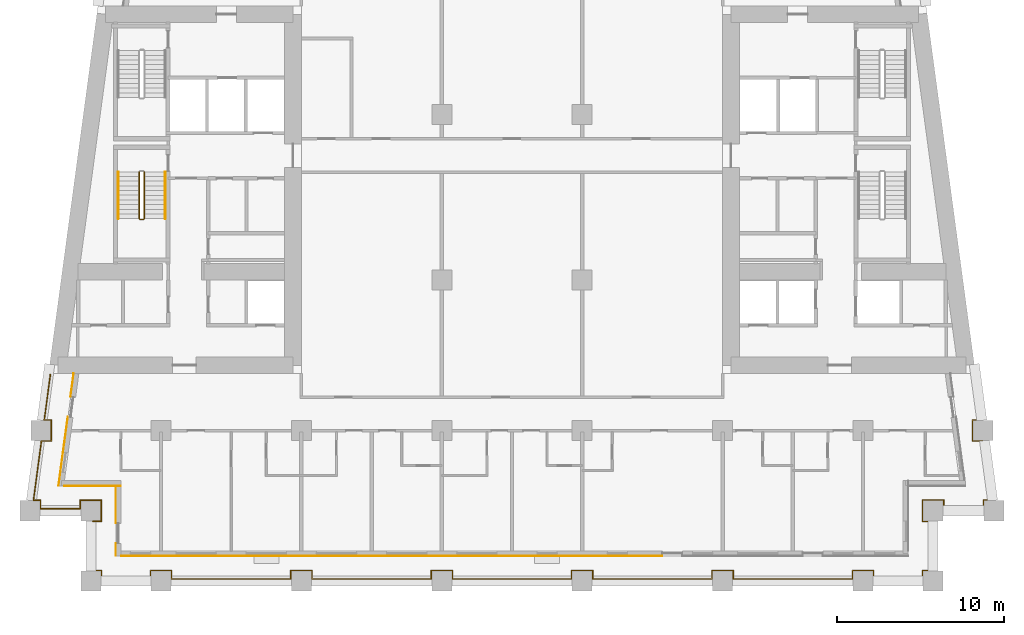
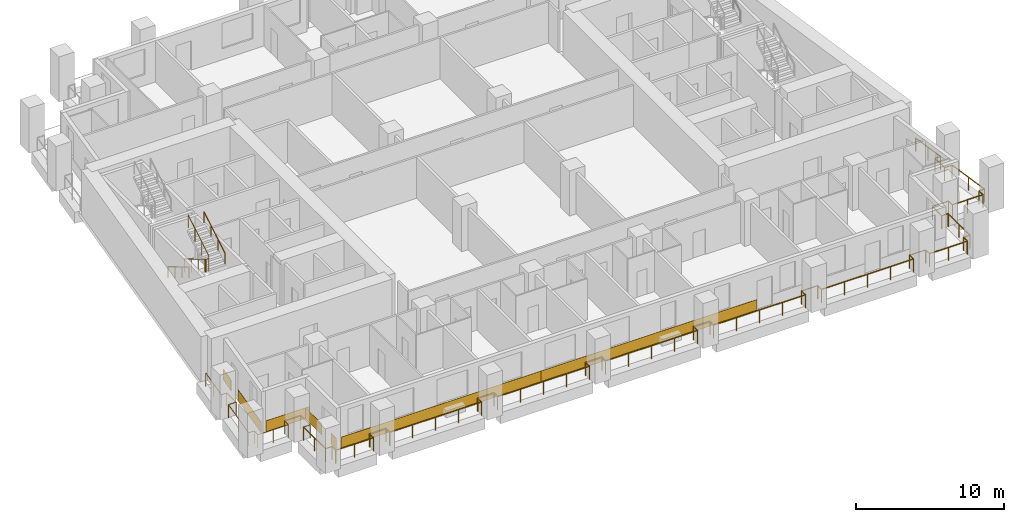
# One storey, part 9 of 13: 7 coverings, 5 railings.
"""IFC4 building model written with IfcOpenShell, lengths in metres."""

from ifc_helpers import new_model, si_unit, direction, frame, origin, origin_2d, place, context, subcontext, project, spatial, rectangle, circle, extrude, material, layer, layer_set, type_object, element, save


model = new_model("IFC4")

# Units and contexts
model_context = context("Model", 3, precision=1e-05, world=origin(), true_north=direction((0.0, 1.0)))
body_context = subcontext(model_context, "Body", "Model", "MODEL_VIEW")
ifc_project = project(units=[si_unit("LENGTHUNIT", "METRE"), si_unit("AREAUNIT", "SQUARE_METRE"), si_unit("VOLUMEUNIT", "CUBIC_METRE"), si_unit("PLANEANGLEUNIT", "RADIAN"), si_unit("MASSUNIT", "GRAM", prefix="KILO")], contexts=[model_context])

# Site, building, storey
site_placement = place(None, origin())
site = spatial("IfcSite", under=ifc_project, at=site_placement, CompositionType="ELEMENT")
building_placement = place(site_placement, origin())
building = spatial("IfcBuilding", under=site, at=building_placement, Name="Candeia Pilgrim Tower and Theatre", CompositionType="ELEMENT")
storey_placement = place(building_placement, frame((0.0, 0.0, 94.699951171875)))
storey = spatial("IfcBuildingStorey", under=building, at=storey_placement, Name="L21", CompositionType="ELEMENT", Elevation=94.699951171875)

# Railings
ifc_material_1 = material(Name="Stainless steel balustrade", Category="steel")
railing_type_1 = type_object("IfcRailingType", Name="G1 loggia guard 1100", PredefinedType="GUARDRAIL", material=ifc_material_1)
railing_1_placement = place(storey_placement, frame((88.320068359375, 101.570068359375, 0.0)))
element("IfcRailing", 1, at=railing_1_placement, inside=storey, type_object=railing_type_1, Name="Guard L21.1", PredefinedType="GUARDRAIL", context=body_context, shape_type="SweptSolid", body=[
    extrude(circle(Radius=0.02392578125, at=origin_2d()), frame((0.0, 0.0, 1.076171875), z_axis=(1.0, 0.0, 0.0), x_axis=(0.0, 1.0, 0.0)), (0.0, 0.0, 1.0), 0.510009765625),
    extrude(circle(Radius=0.02392578125, at=origin_2d()), frame((0.510009765625, 0.0, 1.076171875), z_axis=(0.0, 1.0, 0.0), x_axis=(-1.0, 0.0, 0.0)), (0.0, 0.0, 1.0), 1.260009765625),
    extrude(circle(Radius=0.02392578125, at=origin_2d()), frame((0.510009765625, 1.260009765625, 1.076171875), z_axis=(-1.0, 0.0, 0.0), x_axis=(0.0, -1.0, 0.0)), (0.0, 0.0, 1.0), 1.260009765625),
    extrude(circle(Radius=0.02392578125, at=origin_2d()), frame((-0.75, 1.260009765625, 1.076171875), z_axis=(0.0, -1.0, 0.0), x_axis=(1.0, 0.0, 0.0)), (0.0, 0.0, 1.0), 0.510009765625),
    extrude(circle(Radius=0.02392578125, at=origin_2d()), frame((-0.75, 0.75, 1.076171875), z_axis=(-1.0, 0.0, 0.0), x_axis=(0.0, -1.0, 0.0)), (0.0, 0.0, 1.0), 2.374755859375),
    extrude(circle(Radius=0.02392578125, at=origin_2d()), frame((-3.124755859375, 0.75, 1.076171875), z_axis=(0.0, 1.0, 0.0), x_axis=(-1.0, 0.0, 0.0)), (0.0, 0.0, 1.0), 0.510009765625),
    extrude(circle(Radius=0.02392578125, at=origin_2d()), frame((-3.124755859375, 1.260009765625, 1.076171875), z_axis=(-1.0, 0.0, 0.0), x_axis=(0.0, -1.0, 0.0)), (0.0, 0.0, 1.0), 0.424072265625),
    extrude(circle(Radius=0.02392578125, at=origin_2d()), frame((-3.548828125, 1.260009765625, 1.076171875), z_axis=(0.133417176173, 0.991059966451, 0.0), x_axis=(-0.991059966451, 0.133417176173, 0.0)), (0.0, 0.0, 1.0), 3.572021484375),
    extrude(circle(Radius=0.02392578125, at=origin_2d()), frame((-3.072265625, 4.800048828125, 1.076171875), z_axis=(1.0, 0.0, 0.0), x_axis=(0.0, 1.0, 0.0)), (0.0, 0.0, 1.0), 0.59375),
    extrude(circle(Radius=0.02392578125, at=origin_2d()), frame((-2.478515625, 4.800048828125, 1.076171875), z_axis=(0.0, 1.0, 0.0), x_axis=(-1.0, 0.0, 0.0)), (0.0, 0.0, 1.0), 1.259765625),
    extrude(circle(Radius=0.02392578125, at=origin_2d()), frame((-2.478515625, 6.059814453125, 1.076171875), z_axis=(-1.0, 0.0, 0.0), x_axis=(0.0, -1.0, 0.0)), (0.0, 0.0, 1.0), 0.424072265625),
    extrude(circle(Radius=0.02392578125, at=origin_2d()), frame((-2.902587890625, 6.059814453125, 1.076171875), z_axis=(0.1334220927, 0.991059304572, 0.0), x_axis=(-0.991059304572, 0.1334220927, 0.0)), (0.0, 0.0, 1.0), 2.744873046875),
    extrude(circle(Radius=0.02099609375, at=origin_2d()), origin(), (0.0, 0.0, 1.0), 1.052001953125),
    extrude(circle(Radius=0.02099609375, at=origin_2d()), frame((0.510009765625, 0.0, 0.0)), (0.0, 0.0, 1.0), 1.052001953125),
    extrude(circle(Radius=0.02099609375, at=origin_2d()), frame((0.510009765625, 1.260009765625, 0.0)), (0.0, 0.0, 1.0), 1.052001953125),
    extrude(circle(Radius=0.02099609375, at=origin_2d()), frame((-0.75, 1.260009765625, 0.0)), (0.0, 0.0, 1.0), 1.052001953125),
    extrude(circle(Radius=0.02099609375, at=origin_2d()), frame((-0.75, 0.75, 0.0)), (0.0, 0.0, 1.0), 1.052001953125),
    extrude(circle(Radius=0.02099609375, at=origin_2d()), frame((-1.9375, 0.75, 0.0)), (0.0, 0.0, 1.0), 1.052001953125),
    extrude(circle(Radius=0.02099609375, at=origin_2d()), frame((-3.124755859375, 0.75, 0.0)), (0.0, 0.0, 1.0), 1.052001953125),
    extrude(circle(Radius=0.02099609375, at=origin_2d()), frame((-3.124755859375, 1.260009765625, 0.0)), (0.0, 0.0, 1.0), 1.052001953125),
    extrude(circle(Radius=0.02099609375, at=origin_2d()), frame((-3.548828125, 1.260009765625, 0.0)), (0.0, 0.0, 1.0), 1.052001953125),
    extrude(circle(Radius=0.02099609375, at=origin_2d()), frame((-3.310546875, 3.030029296875, 0.0)), (0.0, 0.0, 1.0), 1.052001953125),
    extrude(circle(Radius=0.02099609375, at=origin_2d()), frame((-3.072265625, 4.800048828125, 0.0)), (0.0, 0.0, 1.0), 1.052001953125),
    extrude(circle(Radius=0.02099609375, at=origin_2d()), frame((-2.478515625, 4.800048828125, 0.0)), (0.0, 0.0, 1.0), 1.052001953125),
    extrude(circle(Radius=0.02099609375, at=origin_2d()), frame((-2.478515625, 6.059814453125, 0.0)), (0.0, 0.0, 1.0), 1.052001953125),
    extrude(circle(Radius=0.02099609375, at=origin_2d()), frame((-2.902587890625, 6.059814453125, 0.0)), (0.0, 0.0, 1.0), 1.052001953125),
    extrude(circle(Radius=0.02099609375, at=origin_2d()), frame((-2.719482421875, 7.419921875, 0.0)), (0.0, 0.0, 1.0), 1.052001953125),
    extrude(circle(Radius=0.02099609375, at=origin_2d()), frame((-2.536376953125, 8.780029296875, 0.0)), (0.0, 0.0, 1.0), 1.052001953125),
])
railing_2_placement = place(storey_placement, frame((141.016357421875, 110.35009765625, 0.0)))
element("IfcRailing", 2, at=railing_2_placement, inside=storey, type_object=railing_type_1, Name="Guard L21.4", PredefinedType="GUARDRAIL", context=body_context, shape_type="SweptSolid", body=[
    extrude(circle(Radius=0.02392578125, at=origin_2d()), frame((0.0, 0.0, 1.076171875), z_axis=(0.1334220927, -0.991059304572, 0.0), x_axis=(0.991059304572, 0.1334220927, 0.0)), (0.0, 0.0, 1.0), 2.744873046875),
    extrude(circle(Radius=0.02392578125, at=origin_2d()), frame((0.3662109375, -2.72021484375, 1.076171875), z_axis=(-1.0, 0.0, 0.0), x_axis=(0.0, -1.0, 0.0)), (0.0, 0.0, 1.0), 0.424072265625),
    extrude(circle(Radius=0.02392578125, at=origin_2d()), frame((-0.057861328125, -2.72021484375, 1.076171875), z_axis=(0.0, -1.0, 0.0), x_axis=(1.0, 0.0, 0.0)), (0.0, 0.0, 1.0), 1.259765625),
    extrude(circle(Radius=0.02392578125, at=origin_2d()), frame((-0.057861328125, -3.97998046875, 1.076171875), z_axis=(1.0, 0.0, 0.0), x_axis=(0.0, 1.0, 0.0)), (0.0, 0.0, 1.0), 0.59375),
    extrude(circle(Radius=0.02392578125, at=origin_2d()), frame((0.535888671875, -3.97998046875, 1.076171875), z_axis=(0.133417176173, -0.991059966451, 0.0), x_axis=(0.991059966451, 0.133417176173, 0.0)), (0.0, 0.0, 1.0), 3.572021484375),
    extrude(circle(Radius=0.02392578125, at=origin_2d()), frame((1.012451171875, -7.52001953125, 1.076171875), z_axis=(-1.0, 0.0, 0.0), x_axis=(0.0, -1.0, 0.0)), (0.0, 0.0, 1.0), 0.424072265625),
    extrude(circle(Radius=0.02392578125, at=origin_2d()), frame((0.58837890625, -7.52001953125, 1.076171875), z_axis=(0.0, -1.0, 0.0), x_axis=(1.0, 0.0, 0.0)), (0.0, 0.0, 1.0), 0.510009765625),
    extrude(circle(Radius=0.02392578125, at=origin_2d()), frame((0.58837890625, -8.030029296875, 1.076171875), z_axis=(-1.0, 0.0, 0.0), x_axis=(0.0, -1.0, 0.0)), (0.0, 0.0, 1.0), 2.374755859375),
    extrude(circle(Radius=0.02392578125, at=origin_2d()), frame((-1.786376953125, -8.030029296875, 1.076171875), z_axis=(0.0, 1.0, 0.0), x_axis=(-1.0, 0.0, 0.0)), (0.0, 0.0, 1.0), 0.510009765625),
    extrude(circle(Radius=0.02392578125, at=origin_2d()), frame((-1.786376953125, -7.52001953125, 1.076171875), z_axis=(-1.0, 0.0, 0.0), x_axis=(0.0, -1.0, 0.0)), (0.0, 0.0, 1.0), 1.260009765625),
    extrude(circle(Radius=0.02392578125, at=origin_2d()), frame((-3.04638671875, -7.52001953125, 1.076171875), z_axis=(0.0, -1.0, 0.0), x_axis=(1.0, 0.0, 0.0)), (0.0, 0.0, 1.0), 1.260009765625),
    extrude(circle(Radius=0.02392578125, at=origin_2d()), frame((-3.04638671875, -8.780029296875, 1.076171875), z_axis=(1.0, 0.0, 0.0), x_axis=(0.0, 1.0, 0.0)), (0.0, 0.0, 1.0), 0.510009765625),
    extrude(circle(Radius=0.02392578125, at=origin_2d()), frame((-2.536376953125, -8.780029296875, 1.076171875), z_axis=(0.0, -1.0, 0.0), x_axis=(1.0, 0.0, 0.0)), (0.0, 0.0, 1.0), 2.940185546875),
    extrude(circle(Radius=0.02392578125, at=origin_2d()), frame((-2.536376953125, -11.72021484375, 1.076171875), z_axis=(-1.0, 0.0, 0.0), x_axis=(0.0, -1.0, 0.0)), (0.0, 0.0, 1.0), 0.510009765625),
    extrude(circle(Radius=0.02392578125, at=origin_2d()), frame((-3.04638671875, -11.72021484375, 1.076171875), z_axis=(0.0, -1.0, 0.0), x_axis=(1.0, 0.0, 0.0)), (0.0, 0.0, 1.0), 0.509765625),
    extrude(circle(Radius=0.02392578125, at=origin_2d()), frame((-3.04638671875, -12.22998046875, 1.076171875), z_axis=(-1.0, 0.0, 0.0), x_axis=(0.0, -1.0, 0.0)), (0.0, 0.0, 1.0), 2.93994140625),
    extrude(circle(Radius=0.02392578125, at=origin_2d()), frame((-5.986328125, -12.22998046875, 1.076171875), z_axis=(0.0, 1.0, 0.0), x_axis=(-1.0, 0.0, 0.0)), (0.0, 0.0, 1.0), 0.509765625),
    extrude(circle(Radius=0.02392578125, at=origin_2d()), frame((-5.986328125, -11.72021484375, 1.076171875), z_axis=(-1.0, 0.0, 0.0), x_axis=(0.0, -1.0, 0.0)), (0.0, 0.0, 1.0), 1.260009765625),
    extrude(circle(Radius=0.02392578125, at=origin_2d()), frame((-7.246337890625, -11.72021484375, 1.076171875), z_axis=(0.0, -1.0, 0.0), x_axis=(1.0, 0.0, 0.0)), (0.0, 0.0, 1.0), 0.509765625),
    extrude(circle(Radius=0.02392578125, at=origin_2d()), frame((-7.246337890625, -12.22998046875, 1.076171875), z_axis=(-1.0, 0.0, 0.0), x_axis=(0.0, -1.0, 0.0)), (0.0, 0.0, 1.0), 7.14013671875),
    extrude(circle(Radius=0.02392578125, at=origin_2d()), frame((-14.386474609375, -12.22998046875, 1.076171875), z_axis=(0.0, 1.0, 0.0), x_axis=(-1.0, 0.0, 0.0)), (0.0, 0.0, 1.0), 0.509765625),
    extrude(circle(Radius=0.02392578125, at=origin_2d()), frame((-14.386474609375, -11.72021484375, 1.076171875), z_axis=(-1.0, 0.0, 0.0), x_axis=(0.0, -1.0, 0.0)), (0.0, 0.0, 1.0), 1.259765625),
    extrude(circle(Radius=0.02392578125, at=origin_2d()), frame((-15.646240234375, -11.72021484375, 1.076171875), z_axis=(0.0, -1.0, 0.0), x_axis=(1.0, 0.0, 0.0)), (0.0, 0.0, 1.0), 0.509765625),
    extrude(circle(Radius=0.02392578125, at=origin_2d()), frame((-15.646240234375, -12.22998046875, 1.076171875), z_axis=(-1.0, 0.0, 0.0), x_axis=(0.0, -1.0, 0.0)), (0.0, 0.0, 1.0), 7.14013671875),
    extrude(circle(Radius=0.02392578125, at=origin_2d()), frame((-22.786376953125, -12.22998046875, 1.076171875), z_axis=(0.0, 1.0, 0.0), x_axis=(-1.0, 0.0, 0.0)), (0.0, 0.0, 1.0), 0.509765625),
    extrude(circle(Radius=0.02392578125, at=origin_2d()), frame((-22.786376953125, -11.72021484375, 1.076171875), z_axis=(-1.0, 0.0, 0.0), x_axis=(0.0, -1.0, 0.0)), (0.0, 0.0, 1.0), 1.260009765625),
    extrude(circle(Radius=0.02392578125, at=origin_2d()), frame((-24.04638671875, -11.72021484375, 1.076171875), z_axis=(0.0, -1.0, 0.0), x_axis=(1.0, 0.0, 0.0)), (0.0, 0.0, 1.0), 0.509765625),
    extrude(circle(Radius=0.02392578125, at=origin_2d()), frame((-24.04638671875, -12.22998046875, 1.076171875), z_axis=(-1.0, 0.0, 0.0), x_axis=(0.0, -1.0, 0.0)), (0.0, 0.0, 1.0), 7.139892578125),
    extrude(circle(Radius=0.02392578125, at=origin_2d()), frame((-31.186279296875, -12.22998046875, 1.076171875), z_axis=(0.0, 1.0, 0.0), x_axis=(-1.0, 0.0, 0.0)), (0.0, 0.0, 1.0), 0.509765625),
    extrude(circle(Radius=0.02392578125, at=origin_2d()), frame((-31.186279296875, -11.72021484375, 1.076171875), z_axis=(-1.0, 0.0, 0.0), x_axis=(0.0, -1.0, 0.0)), (0.0, 0.0, 1.0), 1.260009765625),
    extrude(circle(Radius=0.02392578125, at=origin_2d()), frame((-32.4462890625, -11.72021484375, 1.076171875), z_axis=(0.0, -1.0, 0.0), x_axis=(1.0, 0.0, 0.0)), (0.0, 0.0, 1.0), 0.509765625),
    extrude(circle(Radius=0.02392578125, at=origin_2d()), frame((-32.4462890625, -12.22998046875, 1.076171875), z_axis=(-1.0, 0.0, 0.0), x_axis=(0.0, -1.0, 0.0)), (0.0, 0.0, 1.0), 7.14013671875),
    extrude(circle(Radius=0.02392578125, at=origin_2d()), frame((-39.58642578125, -12.22998046875, 1.076171875), z_axis=(0.0, 1.0, 0.0), x_axis=(-1.0, 0.0, 0.0)), (0.0, 0.0, 1.0), 0.509765625),
    extrude(circle(Radius=0.02392578125, at=origin_2d()), frame((-39.58642578125, -11.72021484375, 1.076171875), z_axis=(-1.0, 0.0, 0.0), x_axis=(0.0, -1.0, 0.0)), (0.0, 0.0, 1.0), 1.260009765625),
    extrude(circle(Radius=0.02392578125, at=origin_2d()), frame((-40.846435546875, -11.72021484375, 1.076171875), z_axis=(0.0, -1.0, 0.0), x_axis=(1.0, 0.0, 0.0)), (0.0, 0.0, 1.0), 0.509765625),
    extrude(circle(Radius=0.02392578125, at=origin_2d()), frame((-40.846435546875, -12.22998046875, 1.076171875), z_axis=(-1.0, 0.0, 0.0), x_axis=(0.0, -1.0, 0.0)), (0.0, 0.0, 1.0), 7.139892578125),
    extrude(circle(Radius=0.02392578125, at=origin_2d()), frame((-47.986328125, -12.22998046875, 1.076171875), z_axis=(0.0, 1.0, 0.0), x_axis=(-1.0, 0.0, 0.0)), (0.0, 0.0, 1.0), 0.509765625),
    extrude(circle(Radius=0.02392578125, at=origin_2d()), frame((-47.986328125, -11.72021484375, 1.076171875), z_axis=(-1.0, 0.0, 0.0), x_axis=(0.0, -1.0, 0.0)), (0.0, 0.0, 1.0), 1.260009765625),
    extrude(circle(Radius=0.02392578125, at=origin_2d()), frame((-49.246337890625, -11.72021484375, 1.076171875), z_axis=(0.0, -1.0, 0.0), x_axis=(1.0, 0.0, 0.0)), (0.0, 0.0, 1.0), 0.509765625),
    extrude(circle(Radius=0.02392578125, at=origin_2d()), frame((-49.246337890625, -12.22998046875, 1.076171875), z_axis=(-1.0, 0.0, 0.0), x_axis=(0.0, -1.0, 0.0)), (0.0, 0.0, 1.0), 2.93994140625),
    extrude(circle(Radius=0.02392578125, at=origin_2d()), frame((-52.186279296875, -12.22998046875, 1.076171875), z_axis=(0.0, 1.0, 0.0), x_axis=(-1.0, 0.0, 0.0)), (0.0, 0.0, 1.0), 0.509765625),
    extrude(circle(Radius=0.02392578125, at=origin_2d()), frame((-52.186279296875, -11.72021484375, 1.076171875), z_axis=(-1.0, 0.0, 0.0), x_axis=(0.0, -1.0, 0.0)), (0.0, 0.0, 1.0), 0.510009765625),
    extrude(circle(Radius=0.02392578125, at=origin_2d()), frame((-52.6962890625, -11.72021484375, 1.076171875), z_axis=(0.0, 1.0, 0.0), x_axis=(-1.0, 0.0, 0.0)), (0.0, 0.0, 1.0), 2.940185546875),
    extrude(circle(Radius=0.02099609375, at=origin_2d()), origin(), (0.0, 0.0, 1.0), 1.052001953125),
    extrude(circle(Radius=0.02099609375, at=origin_2d()), frame((0.18310546875, -1.360107421875, 0.0)), (0.0, 0.0, 1.0), 1.052001953125),
    extrude(circle(Radius=0.02099609375, at=origin_2d()), frame((0.3662109375, -2.72021484375, 0.0)), (0.0, 0.0, 1.0), 1.052001953125),
    extrude(circle(Radius=0.02099609375, at=origin_2d()), frame((-0.057861328125, -2.72021484375, 0.0)), (0.0, 0.0, 1.0), 1.052001953125),
    extrude(circle(Radius=0.02099609375, at=origin_2d()), frame((-0.057861328125, -3.97998046875, 0.0)), (0.0, 0.0, 1.0), 1.052001953125),
    extrude(circle(Radius=0.02099609375, at=origin_2d()), frame((0.535888671875, -3.97998046875, 0.0)), (0.0, 0.0, 1.0), 1.052001953125),
    extrude(circle(Radius=0.02099609375, at=origin_2d()), frame((0.774169921875, -5.75, 0.0)), (0.0, 0.0, 1.0), 1.052001953125),
    extrude(circle(Radius=0.02099609375, at=origin_2d()), frame((1.012451171875, -7.52001953125, 0.0)), (0.0, 0.0, 1.0), 1.052001953125),
    extrude(circle(Radius=0.02099609375, at=origin_2d()), frame((0.58837890625, -7.52001953125, 0.0)), (0.0, 0.0, 1.0), 1.052001953125),
    extrude(circle(Radius=0.02099609375, at=origin_2d()), frame((0.58837890625, -8.030029296875, 0.0)), (0.0, 0.0, 1.0), 1.052001953125),
    extrude(circle(Radius=0.02099609375, at=origin_2d()), frame((-0.59912109375, -8.030029296875, 0.0)), (0.0, 0.0, 1.0), 1.052001953125),
    extrude(circle(Radius=0.02099609375, at=origin_2d()), frame((-1.786376953125, -8.030029296875, 0.0)), (0.0, 0.0, 1.0), 1.052001953125),
    extrude(circle(Radius=0.02099609375, at=origin_2d()), frame((-1.786376953125, -7.52001953125, 0.0)), (0.0, 0.0, 1.0), 1.052001953125),
    extrude(circle(Radius=0.02099609375, at=origin_2d()), frame((-3.04638671875, -7.52001953125, 0.0)), (0.0, 0.0, 1.0), 1.052001953125),
    extrude(circle(Radius=0.02099609375, at=origin_2d()), frame((-3.04638671875, -8.780029296875, 0.0)), (0.0, 0.0, 1.0), 1.052001953125),
    extrude(circle(Radius=0.02099609375, at=origin_2d()), frame((-2.536376953125, -8.780029296875, 0.0)), (0.0, 0.0, 1.0), 1.052001953125),
    extrude(circle(Radius=0.02099609375, at=origin_2d()), frame((-2.536376953125, -10.25, 0.0)), (0.0, 0.0, 1.0), 1.052001953125),
    extrude(circle(Radius=0.02099609375, at=origin_2d()), frame((-2.536376953125, -11.72021484375, 0.0)), (0.0, 0.0, 1.0), 1.052001953125),
    extrude(circle(Radius=0.02099609375, at=origin_2d()), frame((-3.04638671875, -11.72021484375, 0.0)), (0.0, 0.0, 1.0), 1.052001953125),
    extrude(circle(Radius=0.02099609375, at=origin_2d()), frame((-3.04638671875, -12.22998046875, 0.0)), (0.0, 0.0, 1.0), 1.052001953125),
    extrude(circle(Radius=0.02099609375, at=origin_2d()), frame((-4.516357421875, -12.22998046875, 0.0)), (0.0, 0.0, 1.0), 1.052001953125),
    extrude(circle(Radius=0.02099609375, at=origin_2d()), frame((-5.986328125, -12.22998046875, 0.0)), (0.0, 0.0, 1.0), 1.052001953125),
    extrude(circle(Radius=0.02099609375, at=origin_2d()), frame((-5.986328125, -11.72021484375, 0.0)), (0.0, 0.0, 1.0), 1.052001953125),
    extrude(circle(Radius=0.02099609375, at=origin_2d()), frame((-7.246337890625, -11.72021484375, 0.0)), (0.0, 0.0, 1.0), 1.052001953125),
    extrude(circle(Radius=0.02099609375, at=origin_2d()), frame((-7.246337890625, -12.22998046875, 0.0)), (0.0, 0.0, 1.0), 1.052001953125),
    extrude(circle(Radius=0.02099609375, at=origin_2d()), frame((-9.03125, -12.22998046875, 0.0)), (0.0, 0.0, 1.0), 1.052001953125),
    extrude(circle(Radius=0.02099609375, at=origin_2d()), frame((-10.81640625, -12.22998046875, 0.0)), (0.0, 0.0, 1.0), 1.052001953125),
    extrude(circle(Radius=0.02099609375, at=origin_2d()), frame((-12.6015625, -12.22998046875, 0.0)), (0.0, 0.0, 1.0), 1.052001953125),
    extrude(circle(Radius=0.02099609375, at=origin_2d()), frame((-14.386474609375, -12.22998046875, 0.0)), (0.0, 0.0, 1.0), 1.052001953125),
    extrude(circle(Radius=0.02099609375, at=origin_2d()), frame((-14.386474609375, -11.72021484375, 0.0)), (0.0, 0.0, 1.0), 1.052001953125),
    extrude(circle(Radius=0.02099609375, at=origin_2d()), frame((-15.646240234375, -11.72021484375, 0.0)), (0.0, 0.0, 1.0), 1.052001953125),
    extrude(circle(Radius=0.02099609375, at=origin_2d()), frame((-15.646240234375, -12.22998046875, 0.0)), (0.0, 0.0, 1.0), 1.052001953125),
    extrude(circle(Radius=0.02099609375, at=origin_2d()), frame((-17.43115234375, -12.22998046875, 0.0)), (0.0, 0.0, 1.0), 1.052001953125),
    extrude(circle(Radius=0.02099609375, at=origin_2d()), frame((-19.21630859375, -12.22998046875, 0.0)), (0.0, 0.0, 1.0), 1.052001953125),
    extrude(circle(Radius=0.02099609375, at=origin_2d()), frame((-21.00146484375, -12.22998046875, 0.0)), (0.0, 0.0, 1.0), 1.052001953125),
    extrude(circle(Radius=0.02099609375, at=origin_2d()), frame((-22.786376953125, -12.22998046875, 0.0)), (0.0, 0.0, 1.0), 1.052001953125),
    extrude(circle(Radius=0.02099609375, at=origin_2d()), frame((-22.786376953125, -11.72021484375, 0.0)), (0.0, 0.0, 1.0), 1.052001953125),
    extrude(circle(Radius=0.02099609375, at=origin_2d()), frame((-24.04638671875, -11.72021484375, 0.0)), (0.0, 0.0, 1.0), 1.052001953125),
    extrude(circle(Radius=0.02099609375, at=origin_2d()), frame((-24.04638671875, -12.22998046875, 0.0)), (0.0, 0.0, 1.0), 1.052001953125),
    extrude(circle(Radius=0.02099609375, at=origin_2d()), frame((-25.831298828125, -12.22998046875, 0.0)), (0.0, 0.0, 1.0), 1.052001953125),
    extrude(circle(Radius=0.02099609375, at=origin_2d()), frame((-27.6162109375, -12.22998046875, 0.0)), (0.0, 0.0, 1.0), 1.052001953125),
    extrude(circle(Radius=0.02099609375, at=origin_2d()), frame((-29.4013671875, -12.22998046875, 0.0)), (0.0, 0.0, 1.0), 1.052001953125),
    extrude(circle(Radius=0.02099609375, at=origin_2d()), frame((-31.186279296875, -12.22998046875, 0.0)), (0.0, 0.0, 1.0), 1.052001953125),
    extrude(circle(Radius=0.02099609375, at=origin_2d()), frame((-31.186279296875, -11.72021484375, 0.0)), (0.0, 0.0, 1.0), 1.052001953125),
    extrude(circle(Radius=0.02099609375, at=origin_2d()), frame((-32.4462890625, -11.72021484375, 0.0)), (0.0, 0.0, 1.0), 1.052001953125),
    extrude(circle(Radius=0.02099609375, at=origin_2d()), frame((-32.4462890625, -12.22998046875, 0.0)), (0.0, 0.0, 1.0), 1.052001953125),
    extrude(circle(Radius=0.02099609375, at=origin_2d()), frame((-34.2314453125, -12.22998046875, 0.0)), (0.0, 0.0, 1.0), 1.052001953125),
    extrude(circle(Radius=0.02099609375, at=origin_2d()), frame((-36.016357421875, -12.22998046875, 0.0)), (0.0, 0.0, 1.0), 1.052001953125),
    extrude(circle(Radius=0.02099609375, at=origin_2d()), frame((-37.80126953125, -12.22998046875, 0.0)), (0.0, 0.0, 1.0), 1.052001953125),
    extrude(circle(Radius=0.02099609375, at=origin_2d()), frame((-39.58642578125, -12.22998046875, 0.0)), (0.0, 0.0, 1.0), 1.052001953125),
    extrude(circle(Radius=0.02099609375, at=origin_2d()), frame((-39.58642578125, -11.72021484375, 0.0)), (0.0, 0.0, 1.0), 1.052001953125),
    extrude(circle(Radius=0.02099609375, at=origin_2d()), frame((-40.846435546875, -11.72021484375, 0.0)), (0.0, 0.0, 1.0), 1.052001953125),
    extrude(circle(Radius=0.02099609375, at=origin_2d()), frame((-40.846435546875, -12.22998046875, 0.0)), (0.0, 0.0, 1.0), 1.052001953125),
    extrude(circle(Radius=0.02099609375, at=origin_2d()), frame((-42.63134765625, -12.22998046875, 0.0)), (0.0, 0.0, 1.0), 1.052001953125),
    extrude(circle(Radius=0.02099609375, at=origin_2d()), frame((-44.41650390625, -12.22998046875, 0.0)), (0.0, 0.0, 1.0), 1.052001953125),
    extrude(circle(Radius=0.02099609375, at=origin_2d()), frame((-46.201416015625, -12.22998046875, 0.0)), (0.0, 0.0, 1.0), 1.052001953125),
    extrude(circle(Radius=0.02099609375, at=origin_2d()), frame((-47.986328125, -12.22998046875, 0.0)), (0.0, 0.0, 1.0), 1.052001953125),
    extrude(circle(Radius=0.02099609375, at=origin_2d()), frame((-47.986328125, -11.72021484375, 0.0)), (0.0, 0.0, 1.0), 1.052001953125),
    extrude(circle(Radius=0.02099609375, at=origin_2d()), frame((-49.246337890625, -11.72021484375, 0.0)), (0.0, 0.0, 1.0), 1.052001953125),
    extrude(circle(Radius=0.02099609375, at=origin_2d()), frame((-49.246337890625, -12.22998046875, 0.0)), (0.0, 0.0, 1.0), 1.052001953125),
    extrude(circle(Radius=0.02099609375, at=origin_2d()), frame((-50.71630859375, -12.22998046875, 0.0)), (0.0, 0.0, 1.0), 1.052001953125),
    extrude(circle(Radius=0.02099609375, at=origin_2d()), frame((-52.186279296875, -12.22998046875, 0.0)), (0.0, 0.0, 1.0), 1.052001953125),
    extrude(circle(Radius=0.02099609375, at=origin_2d()), frame((-52.186279296875, -11.72021484375, 0.0)), (0.0, 0.0, 1.0), 1.052001953125),
    extrude(circle(Radius=0.02099609375, at=origin_2d()), frame((-52.6962890625, -11.72021484375, 0.0)), (0.0, 0.0, 1.0), 1.052001953125),
    extrude(circle(Radius=0.02099609375, at=origin_2d()), frame((-52.6962890625, -10.25, 0.0)), (0.0, 0.0, 1.0), 1.052001953125),
    extrude(circle(Radius=0.02099609375, at=origin_2d()), frame((-52.6962890625, -8.780029296875, 0.0)), (0.0, 0.0, 1.0), 1.052001953125),
])

# Coverings
ifc_material_2 = material(Name="Glazed ceramic tile red")
ifc_layer_1 = layer(ifc_material_2, 0.02001953125)
ifc_layer_set_1 = layer_set([ifc_layer_1], Name="Glazed ceramic tile red")
covering_type_1 = type_object("IfcCoveringType", Name="Glazed ceramic tile red", PredefinedType="CLADDING", material=ifc_layer_set_1)
covering_1_placement = place(storey_placement, frame((97.81005859375, 99.489990234375, 0.0), z_axis=(0.0, 0.0, 1.0), x_axis=(1.0, 0.0, 0.0)))
element("IfcCovering", 3, at=covering_1_placement, inside=storey, type_object=covering_type_1, Name="Tile cladding red L21", PredefinedType="CLADDING", context=body_context, shape_type="SweptSolid", body=[
    extrude(rectangle(XDim=15.580078125, YDim=0.02001953125, at=origin_2d()), origin(), (0.0, 0.0, 1.0), 0.89990234375),
])
covering_2_placement = place(storey_placement, frame((87.0810546875, 109.71875, 0.0), z_axis=(0.0, 0.0, 1.0), x_axis=(-0.133412012145, -0.991060661622, 0.0)))
element("IfcCovering", 4, at=covering_2_placement, inside=storey, type_object=covering_type_1, Name="Tile cladding red L21", PredefinedType="CLADDING", context=body_context, shape_type="SweptSolid", body=[
    extrude(rectangle(XDim=1.41796875, YDim=0.02001953125, at=origin_2d()), origin(), (0.0, 0.0, 1.0), 0.89990234375),
])
covering_3_placement = place(storey_placement, frame((86.548583984375, 105.763916015625, 0.0), z_axis=(0.0, 0.0, 1.0), x_axis=(-0.133412012145, -0.991060661622, 0.0)))
element("IfcCovering", 5, at=covering_3_placement, inside=storey, type_object=covering_type_1, Name="Tile cladding red L21", PredefinedType="CLADDING", context=body_context, shape_type="SweptSolid", body=[
    extrude(rectangle(XDim=4.16259765625, YDim=0.02001953125, at=origin_2d()), origin(), (0.0, 0.0, 1.0), 0.89990234375),
])
covering_4_placement = place(storey_placement, frame((88.311279296875, 103.68994140625, 0.0), z_axis=(0.0, 0.0, 1.0), x_axis=(1.0, 0.0, 0.0)))
element("IfcCovering", 6, at=covering_4_placement, inside=storey, type_object=covering_type_1, Name="Tile cladding red L21", PredefinedType="CLADDING", context=body_context, shape_type="SweptSolid", body=[
    extrude(rectangle(XDim=3.377685546875, YDim=0.02001953125, at=origin_2d()), origin(), (0.0, 0.0, 1.0), 0.89990234375),
])
covering_5_placement = place(storey_placement, frame((89.68994140625, 102.56494140625, 0.0), z_axis=(0.0, 0.0, 1.0), x_axis=(0.0, -1.0, 0.0)))
element("IfcCovering", 7, at=covering_5_placement, inside=storey, type_object=covering_type_1, Name="Tile cladding red L21", PredefinedType="CLADDING", context=body_context, shape_type="SweptSolid", body=[
    extrude(rectangle(XDim=2.22998046875, YDim=0.02001953125, at=origin_2d()), origin(), (0.0, 0.0, 1.0), 0.89990234375),
])
covering_6_placement = place(storey_placement, frame((89.68994140625, 99.875, 0.0), z_axis=(0.0, 0.0, 1.0), x_axis=(0.0, -1.0, 0.0)))
element("IfcCovering", 8, at=covering_6_placement, inside=storey, type_object=covering_type_1, Name="Tile cladding red L21", PredefinedType="CLADDING", context=body_context, shape_type="SweptSolid", body=[
    extrude(rectangle(XDim=0.75, YDim=0.02001953125, at=origin_2d()), origin(), (0.0, 0.0, 1.0), 0.89990234375),
])
ifc_material_3 = material(Name="Glazed ceramic tile rust")
ifc_layer_2 = layer(ifc_material_3, 0.02001953125)
ifc_layer_set_2 = layer_set([ifc_layer_2], Name="Glazed ceramic tile rust")
covering_type_2 = type_object("IfcCoveringType", Name="Glazed ceramic tile rust", PredefinedType="CLADDING", material=ifc_layer_set_2)
covering_7_placement = place(storey_placement, frame((114.0, 99.489990234375, 0.0), z_axis=(0.0, 0.0, 1.0), x_axis=(1.0, 0.0, 0.0)))
element("IfcCovering", 9, at=covering_7_placement, inside=storey, type_object=covering_type_2, Name="Tile cladding rust L21", PredefinedType="CLADDING", context=body_context, shape_type="SweptSolid", body=[
    extrude(rectangle(XDim=16.800048828125, YDim=0.02001953125, at=origin_2d()), origin(), (0.0, 0.0, 1.0), 0.89990234375),
])

# Railings
railing_type_2 = type_object("IfcRailingType", Name="RL-GUARD-1100", PredefinedType="GUARDRAIL", material=ifc_material_1)
railing_3_placement = place(storey_placement, frame((91.10205078125, 122.47509765625, 0.168212890625)))
element("IfcRailing", 10, at=railing_3_placement, inside=storey, type_object=railing_type_2, Name="L21 ST1 stair guard 1", PredefinedType="GUARDRAIL", context=body_context, shape_type="SweptSolid", body=[
    extrude(circle(Radius=0.02392578125, at=origin_2d()), frame((0.0, 0.0, 1.076171875), z_axis=(0.0, -0.857242210791, 0.514913383045), x_axis=(1.0, 0.0, 0.0)), (0.0, 0.0, 1.0), 3.266357421875),
    extrude(circle(Radius=0.02392578125, at=origin_2d()), frame((0.0, -2.800048828125, 2.7578125), z_axis=(0.707106781187, -0.707106781187, 0.0), x_axis=(0.707106781187, 0.707106781187, 0.0)), (0.0, 0.0, 1.0), 0.07080078125),
    extrude(circle(Radius=0.02392578125, at=origin_2d()), frame((0.050048828125, -2.85009765625, 2.7578125), z_axis=(1.0, 0.0, 0.0), x_axis=(0.0, 1.0, 0.0)), (0.0, 0.0, 1.0), 0.199951171875),
    extrude(circle(Radius=0.02392578125, at=origin_2d()), frame((0.25, -2.85009765625, 2.7578125), z_axis=(0.274243871929, 0.274243871929, 0.92172696468), x_axis=(-0.707106781187, 0.707106781187, 0.0)), (0.0, 0.0, 1.0), 0.1826171875),
    extrude(circle(Radius=0.02392578125, at=origin_2d()), frame((0.300048828125, -2.800048828125, 2.92626953125), z_axis=(0.0, 0.857275202839, 0.514858452973), x_axis=(-1.0, 0.0, 0.0)), (0.0, 0.0, 1.0), 3.26611328125),
    extrude(circle(Radius=0.02099609375, at=origin_2d()), origin(), (0.0, 0.0, 1.0), 1.052001953125),
    extrude(circle(Radius=0.02099609375, at=origin_2d()), frame((0.0, -0.933349609375, 0.560546875)), (0.0, 0.0, 1.0), 1.052001953125),
    extrude(circle(Radius=0.02099609375, at=origin_2d()), frame((0.0, -1.86669921875, 1.121337890625)), (0.0, 0.0, 1.0), 1.052001953125),
    extrude(circle(Radius=0.02099609375, at=origin_2d()), frame((0.0, -2.800048828125, 1.681884765625)), (0.0, 0.0, 1.0), 1.052001953125),
    extrude(circle(Radius=0.02099609375, at=origin_2d()), frame((0.050048828125, -2.85009765625, 1.681884765625)), (0.0, 0.0, 1.0), 1.052001953125),
    extrude(circle(Radius=0.02099609375, at=origin_2d()), frame((0.25, -2.85009765625, 1.681884765625)), (0.0, 0.0, 1.0), 1.052001953125),
    extrude(circle(Radius=0.02099609375, at=origin_2d()), frame((0.300048828125, -2.800048828125, 1.85009765625)), (0.0, 0.0, 1.0), 1.052001953125),
    extrude(circle(Radius=0.02099609375, at=origin_2d()), frame((0.300048828125, -1.86669921875, 2.41064453125)), (0.0, 0.0, 1.0), 1.052001953125),
    extrude(circle(Radius=0.02099609375, at=origin_2d()), frame((0.300048828125, -0.933349609375, 2.97119140625)), (0.0, 0.0, 1.0), 1.052001953125),
    extrude(circle(Radius=0.02099609375, at=origin_2d()), frame((0.300048828125, 0.0, 3.53173828125)), (0.0, 0.0, 1.0), 1.052001953125),
])
ifc_material_4 = material(Name="Stainless steel handrail", Category="steel")
railing_type_3 = type_object("IfcRailingType", Name="RL-HANDRAIL-900", PredefinedType="HANDRAIL", material=ifc_material_4)
railing_4_placement = place(storey_placement, frame((89.85205078125, 122.47509765625, 0.168212890625)))
element("IfcRailing", 11, at=railing_4_placement, inside=storey, type_object=railing_type_3, Name="L21 ST1 stair handrail 1", PredefinedType="HANDRAIL", context=body_context, shape_type="SweptSolid", body=[
    extrude(circle(Radius=0.02392578125, at=origin_2d()), frame((0.0, 0.0, 0.8759765625), z_axis=(0.0, -0.857242210791, 0.514913383045), x_axis=(1.0, 0.0, 0.0)), (0.0, 0.0, 1.0), 3.266357421875),
    extrude(circle(Radius=0.02099609375, at=origin_2d()), origin(), (0.0, 0.0, 1.0), 0.851806640625),
    extrude(circle(Radius=0.02099609375, at=origin_2d()), frame((0.0, -0.933349609375, 0.560546875)), (0.0, 0.0, 1.0), 0.851806640625),
    extrude(circle(Radius=0.02099609375, at=origin_2d()), frame((0.0, -1.86669921875, 1.121337890625)), (0.0, 0.0, 1.0), 0.851806640625),
    extrude(circle(Radius=0.02099609375, at=origin_2d()), frame((0.0, -2.800048828125, 1.681884765625)), (0.0, 0.0, 1.0), 0.851806640625),
])
railing_5_placement = place(storey_placement, frame((92.652099609375, 119.675048828125, 2.018310546875)))
element("IfcRailing", 12, at=railing_5_placement, inside=storey, type_object=railing_type_3, Name="L21 ST1 stair handrail 2", PredefinedType="HANDRAIL", context=body_context, shape_type="SweptSolid", body=[
    extrude(circle(Radius=0.02392578125, at=origin_2d()), frame((0.0, 0.0, 0.8759765625), z_axis=(0.0, 0.857275202839, 0.514858452973), x_axis=(-1.0, 0.0, 0.0)), (0.0, 0.0, 1.0), 3.26611328125),
    extrude(circle(Radius=0.02099609375, at=origin_2d()), origin(), (0.0, 0.0, 1.0), 0.851806640625),
    extrude(circle(Radius=0.02099609375, at=origin_2d()), frame((0.0, 0.933349609375, 0.560546875)), (0.0, 0.0, 1.0), 0.851806640625),
    extrude(circle(Radius=0.02099609375, at=origin_2d()), frame((0.0, 1.86669921875, 1.12109375)), (0.0, 0.0, 1.0), 0.851806640625),
    extrude(circle(Radius=0.02099609375, at=origin_2d()), frame((0.0, 2.800048828125, 1.681640625)), (0.0, 0.0, 1.0), 0.851806640625),
])

save(model, "model.ifc")
